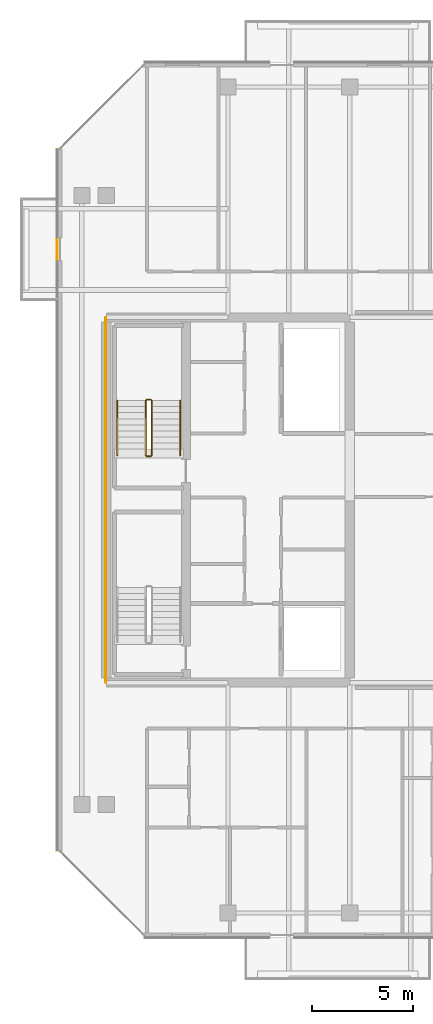
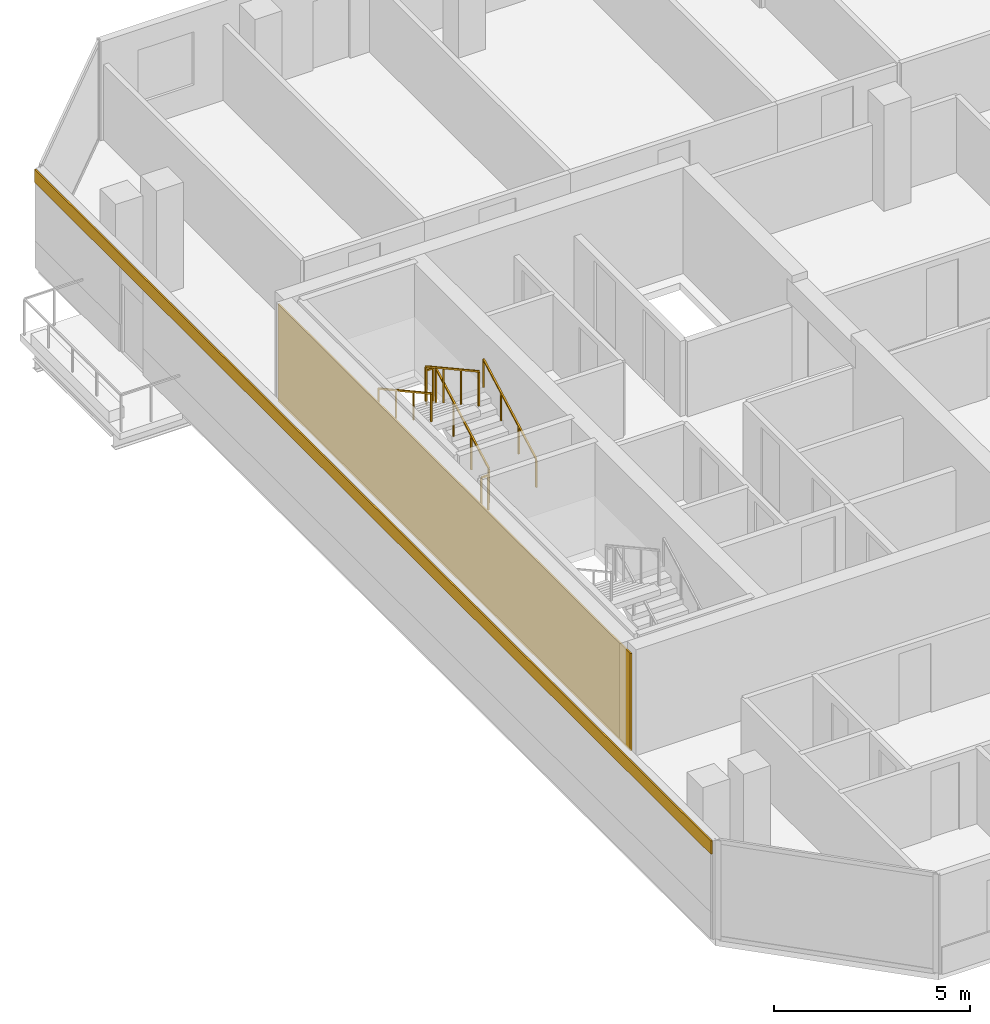
# One storey, part 26 of 29: 6 railings, 2 coverings.
"""IFC4 building model written with IfcOpenShell, lengths in metres."""

from ifc_helpers import new_model, si_unit, direction, frame, origin, origin_2d, place, context, subcontext, project, spatial, rectangle, extrude, material, layer, layer_set, type_object, element, save


model = new_model("IFC4")

# Units and contexts
model_context = context("Model", 3, precision=1e-05, world=origin(), true_north=direction((0.0, 1.0)))
body_context = subcontext(model_context, "Body", "Model", "MODEL_VIEW")
ifc_project = project(units=[si_unit("LENGTHUNIT", "METRE"), si_unit("AREAUNIT", "SQUARE_METRE"), si_unit("VOLUMEUNIT", "CUBIC_METRE"), si_unit("PLANEANGLEUNIT", "RADIAN"), si_unit("MASSUNIT", "GRAM", prefix="KILO")], contexts=[model_context])

# Site, building, storey
site_placement = place(None, origin())
site = spatial("IfcSite", under=ifc_project, at=site_placement, CompositionType="ELEMENT")
building_placement = place(site_placement, origin())
building = spatial("IfcBuilding", under=site, at=building_placement, Name="Tanjung Sevakor Pilgrim Tower", CompositionType="ELEMENT")
storey_placement = place(building_placement, frame((0.0, 0.0, 188.429931640625)))
storey = spatial("IfcBuildingStorey", under=building, at=storey_placement, Name="L52", CompositionType="ELEMENT", Elevation=188.429931640625)

# Coverings
ifc_material_1 = material(Name="Reconstructed Limestone Cladding", Category="masonry")
ifc_layer = layer(ifc_material_1, 0.044921875)
ifc_layer_set = layer_set([ifc_layer], Name="COV-CLAD-LIMESTONE")
covering_type = type_object("IfcCoveringType", Name="COV-CLAD-LIMESTONE", PredefinedType="CLADDING", material=ifc_layer_set)
covering_1_placement = place(storey_placement, frame((21.577392578125, 33.60009765625, 2.66015625), z_axis=(0.0, 0.0, 1.0), x_axis=(0.0, -1.0, 0.0)))
element("IfcCovering", 1, at=covering_1_placement, inside=storey, type_object=covering_type, Name="L52 Warm Limestone Cornice Spandrel EW-L52-MAIN-15", PredefinedType="CLADDING", context=body_context, shape_type="SweptSolid", body=[
    extrude(rectangle(XDim=34.56884765625, YDim=0.044921875, at=origin_2d()), origin(), (0.0, 0.0, 1.0), 0.409912109375),
])
covering_2_placement = place(storey_placement, frame((23.9775390625, 33.60009765625, 0.02001953125), z_axis=(0.0, 0.0, 1.0), x_axis=(1.0, 0.0, 0.0)))
element("IfcCovering", 2, at=covering_2_placement, inside=storey, type_object=covering_type, Name="L52 Expressed Core Warm Limestone Cladding W", PredefinedType="CLADDING", context=body_context, shape_type="SweptSolid", body=[
    extrude(rectangle(XDim=0.044921875, YDim=18.0, at=origin_2d()), origin(), (0.0, 0.0, 1.0), 3.0400390625),
])

# Railings
ifc_material_2 = material(Name="Steel S355J2", Category="steel")
railing_type_1 = type_object("IfcRailingType", Name="RL-STAIR-GUARD", PredefinedType="GUARDRAIL", material=ifc_material_2)
railing_1_placement = place(storey_placement, frame((26.25, 35.800048828125, 0.1650390625)))
element("IfcRailing", 3, at=railing_1_placement, inside=storey, type_object=railing_type_1, Name="L52 TS-W2 stair guard 1", PredefinedType="GUARDRAIL", context=body_context, shape_type="SweptSolid", body=[
    extrude(rectangle(XDim=0.0479, YDim=0.0479), frame((0.0, 0.0, 1.076171875), z_axis=(0.0, 0.876197507361, 0.481952205197), x_axis=(-1.0, 0.0, 0.0)), (0.0, 0.0, 1.0), 3.08154296875),
    extrude(rectangle(XDim=0.042, YDim=0.042), origin(), (0.0, 0.0, 1.0), 1.052001953125),
    extrude(rectangle(XDim=0.042, YDim=0.042), frame((0.0, 0.89990234375, 0.4951171875)), (0.0, 0.0, 1.0), 1.052001953125),
    extrude(rectangle(XDim=0.042, YDim=0.042), frame((0.0, 1.800048828125, 0.989990234375)), (0.0, 0.0, 1.0), 1.052001953125),
    extrude(rectangle(XDim=0.042, YDim=0.042), frame((0.0, 2.699951171875, 1.485107421875)), (0.0, 0.0, 1.0), 1.052001953125),
])
railing_2_placement = place(storey_placement, frame((26.199951171875, 38.550048828125, 1.650146484375)))
element("IfcRailing", 4, at=railing_2_placement, inside=storey, type_object=railing_type_1, Name="L52 TS-W2 stair guard 2", PredefinedType="GUARDRAIL", context=body_context, shape_type="SweptSolid", body=[
    extrude(rectangle(XDim=0.0479, YDim=0.0479), frame((0.0, 0.0, 1.076171875), z_axis=(-1.0, 0.0, 0.0), x_axis=(0.0, -1.0, 0.0)), (0.0, 0.0, 1.0), 0.199951171875),
    extrude(rectangle(XDim=0.042, YDim=0.042), origin(), (0.0, 0.0, 1.0), 1.052001953125),
    extrude(rectangle(XDim=0.042, YDim=0.042), frame((-0.199951171875, 0.0, 0.0)), (0.0, 0.0, 1.0), 1.052001953125),
])
railing_3_placement = place(storey_placement, frame((25.949951171875, 38.5, 1.815185546875)))
element("IfcRailing", 5, at=railing_3_placement, inside=storey, type_object=railing_type_1, Name="L52 TS-W2 stair guard 3", PredefinedType="GUARDRAIL", context=body_context, shape_type="SweptSolid", body=[
    extrude(rectangle(XDim=0.0479, YDim=0.0479), frame((0.0, 0.0, 1.076171875), z_axis=(0.0, -0.876230963923, 0.481891375584), x_axis=(1.0, 0.0, 0.0)), (0.0, 0.0, 1.0), 3.081298828125),
    extrude(rectangle(XDim=0.042, YDim=0.042), origin(), (0.0, 0.0, 1.0), 1.052001953125),
    extrude(rectangle(XDim=0.042, YDim=0.042), frame((0.0, -0.89990234375, 0.494873046875)), (0.0, 0.0, 1.0), 1.052001953125),
    extrude(rectangle(XDim=0.042, YDim=0.042), frame((0.0, -1.800048828125, 0.989990234375)), (0.0, 0.0, 1.0), 1.052001953125),
    extrude(rectangle(XDim=0.042, YDim=0.042), frame((0.0, -2.699951171875, 1.48486328125)), (0.0, 0.0, 1.0), 1.052001953125),
])
railing_4_placement = place(storey_placement, frame((26.199951171875, 35.75, 0.0)))
element("IfcRailing", 6, at=railing_4_placement, inside=storey, type_object=railing_type_1, Name="L52 TS-W2 stair guard 4", PredefinedType="GUARDRAIL", context=body_context, shape_type="SweptSolid", body=[
    extrude(rectangle(XDim=0.0479, YDim=0.0479), frame((0.0, 0.0, 1.076171875), z_axis=(-1.0, 0.0, 0.0), x_axis=(0.0, -1.0, 0.0)), (0.0, 0.0, 1.0), 0.199951171875),
    extrude(rectangle(XDim=0.042, YDim=0.042), origin(), (0.0, 0.0, 1.0), 1.052001953125),
    extrude(rectangle(XDim=0.042, YDim=0.042), frame((-0.199951171875, 0.0, 0.0)), (0.0, 0.0, 1.0), 1.052001953125),
])
ifc_material_3 = material(Name="Steel S355J2", Category="steel")
railing_type_2 = type_object("IfcRailingType", Name="RL-STAIR-HAND", PredefinedType="HANDRAIL", material=ifc_material_3)
railing_5_placement = place(storey_placement, frame((27.64990234375, 35.800048828125, 0.1650390625)))
element("IfcRailing", 7, at=railing_5_placement, inside=storey, type_object=railing_type_2, Name="L52 TS-W2 stair handrail 1", PredefinedType="HANDRAIL", context=body_context, shape_type="SweptSolid", body=[
    extrude(rectangle(XDim=0.0479, YDim=0.0479), frame((0.0, 0.0, 0.8759765625), z_axis=(0.0, 0.876197507361, 0.481952205197), x_axis=(-1.0, 0.0, 0.0)), (0.0, 0.0, 1.0), 3.08154296875),
    extrude(rectangle(XDim=0.042, YDim=0.042), origin(), (0.0, 0.0, 1.0), 0.851806640625),
    extrude(rectangle(XDim=0.042, YDim=0.042), frame((0.0, 0.89990234375, 0.4951171875)), (0.0, 0.0, 1.0), 0.851806640625),
    extrude(rectangle(XDim=0.042, YDim=0.042), frame((0.0, 1.800048828125, 0.989990234375)), (0.0, 0.0, 1.0), 0.851806640625),
    extrude(rectangle(XDim=0.042, YDim=0.042), frame((0.0, 2.699951171875, 1.485107421875)), (0.0, 0.0, 1.0), 0.851806640625),
])
railing_6_placement = place(storey_placement, frame((24.550048828125, 38.5, 1.815185546875)))
element("IfcRailing", 8, at=railing_6_placement, inside=storey, type_object=railing_type_2, Name="L52 TS-W2 stair handrail 2", PredefinedType="HANDRAIL", context=body_context, shape_type="SweptSolid", body=[
    extrude(rectangle(XDim=0.0479, YDim=0.0479), frame((0.0, 0.0, 0.8759765625), z_axis=(0.0, -0.876230963923, 0.481891375584), x_axis=(1.0, 0.0, 0.0)), (0.0, 0.0, 1.0), 3.081298828125),
    extrude(rectangle(XDim=0.042, YDim=0.042), origin(), (0.0, 0.0, 1.0), 0.851806640625),
    extrude(rectangle(XDim=0.042, YDim=0.042), frame((0.0, -0.89990234375, 0.494873046875)), (0.0, 0.0, 1.0), 0.851806640625),
    extrude(rectangle(XDim=0.042, YDim=0.042), frame((0.0, -1.800048828125, 0.989990234375)), (0.0, 0.0, 1.0), 0.851806640625),
    extrude(rectangle(XDim=0.042, YDim=0.042), frame((0.0, -2.699951171875, 1.48486328125)), (0.0, 0.0, 1.0), 0.851806640625),
])

save(model, "model.ifc")
